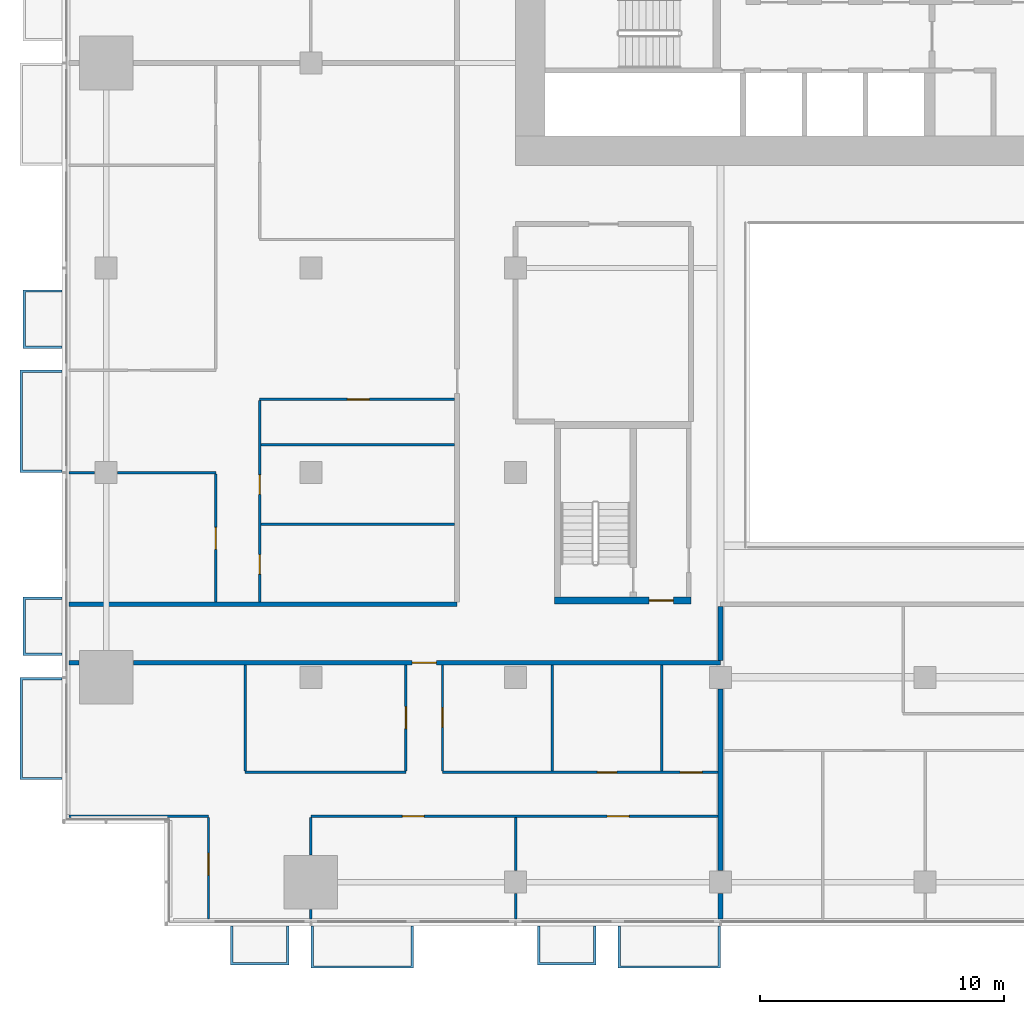
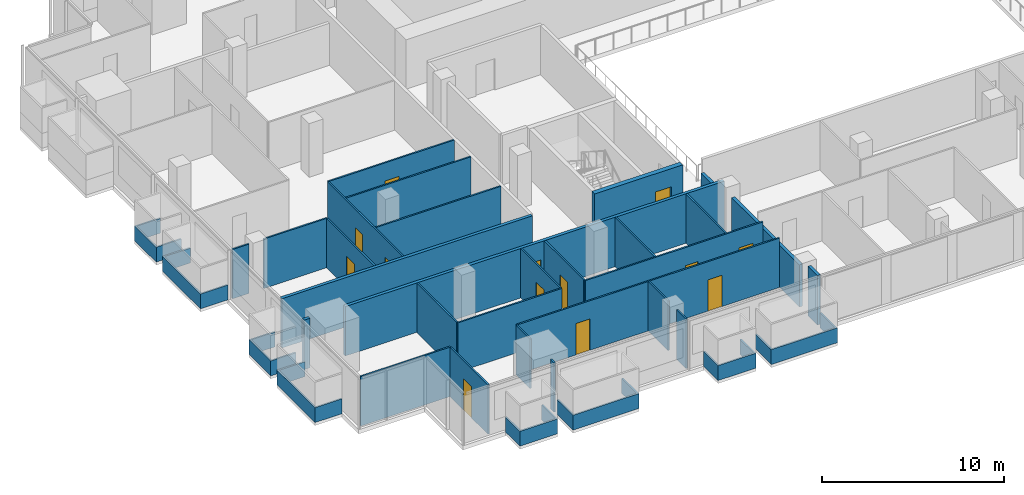
# One storey, part 17 of 27: 36 walls, 13 doors, 13 openings.
"""IFC4 building model written with IfcOpenShell, lengths in metres."""

import ifcopenshell
import ifcopenshell.guid

model = None  # the IFC model being written
_history = None  # IfcOwnerHistory: only IFC2X3 demands one
_inside = {}  # id of a spatial element -> (the spatial element, [elements in it])
_under = {}  # id of a project, library or spatial element -> (it, [spatial elements below it])
_declared = {}  # id of a project -> (the project, [libraries it declares])
_typed = {}  # id of a type object -> (the type object, [elements of that type])
_made_of = {}  # id of a material, layer set ... -> (it, [elements and type objects made of it])


def new_model(schema):
    """Start an empty IFC model of exactly this schema.

    Asked for "IFC4X3", IfcOpenShell would pick the latest addendum, in which some entities
    have other attributes; the version numbers below select the first issue.
    IFC2X3 requires an IfcOwnerHistory on every rooted entity: one is made here for all.
    """
    global model, _history
    if schema == "IFC4X3":
        model = ifcopenshell.file(schema_version=(4, 3, 0, 0))
    else:
        model = ifcopenshell.file(schema=schema)
    _inside.clear()
    _under.clear()
    _declared.clear()
    _typed.clear()
    _made_of.clear()
    _history = None
    if model.schema == "IFC2X3":
        org = make("IfcOrganization", Name="unknown")
        user = make(
            "IfcPersonAndOrganization",
            ThePerson=make("IfcPerson", FamilyName="unknown"),
            TheOrganization=org,
        )
        app = make(
            "IfcApplication",
            ApplicationDeveloper=org,
            Version="unknown",
            ApplicationFullName="unknown",
            ApplicationIdentifier="unknown",
        )
        _history = make(
            "IfcOwnerHistory",
            OwningUser=user,
            OwningApplication=app,
            ChangeAction="ADDED",
            CreationDate=0,
        )
    return model


def make(cls, **values):
    """One entity of the class cls with the attributes given. An attribute that is None is left unset."""
    return model.create_entity(
        cls, **{name: value for name, value in values.items() if value is not None}
    )


def rooted(cls, **values):
    """An entity with a GlobalId (a new one), such as an element, a storey or a relation."""
    return make(cls, GlobalId=ifcopenshell.guid.new(), OwnerHistory=_history, **values)


def si_unit(unit_type, name, prefix=None):
    """IfcSIUnit, for example si_unit("LENGTHUNIT", "METRE", prefix="MILLI")."""
    return make("IfcSIUnit", UnitType=unit_type, Prefix=prefix, Name=name)


def assignment(units):
    """IfcUnitAssignment: the units of a project."""
    return None if units is None else make("IfcUnitAssignment", Units=units)


def point(xyz):
    """IfcCartesianPoint."""
    return None if xyz is None else make("IfcCartesianPoint", Coordinates=xyz)


def direction(xyz):
    """IfcDirection."""
    return None if xyz is None else make("IfcDirection", DirectionRatios=xyz)


def frame(location, z_axis=None, x_axis=None):
    """IfcAxis2Placement3D, a coordinate frame: its origin and axes. An axis left out is left unset."""
    return make(
        "IfcAxis2Placement3D",
        Location=point(location),
        Axis=direction(z_axis),
        RefDirection=direction(x_axis),
    )


def frame_2d(location, x_axis=None):
    """IfcAxis2Placement2D, a coordinate frame in the plane: its origin and x axis."""
    return make(
        "IfcAxis2Placement2D", Location=point(location), RefDirection=direction(x_axis)
    )


def origin():
    """The frame at (0, 0, 0) with its axes left unset."""
    return frame((0.0, 0.0, 0.0))


def place(relative_to, where):
    """IfcLocalPlacement: puts the frame where relative to a parent placement (None: the world)."""
    return make(
        "IfcLocalPlacement", PlacementRelTo=relative_to, RelativePlacement=where
    )


def context(
    kind, dimensions, precision=None, world=None, true_north=None, identifier=None
):
    """IfcGeometricRepresentationContext, for example the 3D "Model" context."""
    return make(
        "IfcGeometricRepresentationContext",
        ContextIdentifier=identifier,
        ContextType=kind,
        CoordinateSpaceDimension=dimensions,
        Precision=precision,
        WorldCoordinateSystem=world,
        TrueNorth=true_north,
    )


def subcontext(parent, identifier, kind, view, scale=None):
    """IfcGeometricRepresentationSubContext, for example "Body" below "Model"."""
    return make(
        "IfcGeometricRepresentationSubContext",
        ContextIdentifier=identifier,
        ContextType=kind,
        ParentContext=parent,
        TargetScale=scale,
        TargetView=view,
    )


def project(units=None, contexts=None):
    """IfcProject with its units and contexts."""
    return rooted(
        "IfcProject",
        Name="project",
        RepresentationContexts=contexts,
        UnitsInContext=assignment(units),
    )


def spatial(cls, under=None, at=None, **own):
    """A site, building, storey or space (cls), placed at a placement, below another one or the project."""
    s = rooted(cls, ObjectPlacement=at, **own)
    if under is not None:
        _under.setdefault(under.id(), (under, []))[1].append(s)
    return s


def polyline(points):
    """IfcPolyline through the points."""
    return make("IfcPolyline", Points=[point(p) for p in points])


def profile(cls, at=None, kind="AREA", **sizes):
    """A parametric profile (cls). Its sizes go by their IFC names, for example OverallWidth=200.0."""
    return make(cls, ProfileType=kind, Position=at, **sizes)


def rectangle(**sizes):
    """IfcRectangleProfileDef."""
    return profile("IfcRectangleProfileDef", **sizes)


def outline(outer, holes=None, kind="AREA"):
    """IfcArbitraryClosedProfileDef: a profile drawn as a closed curve; with holes, ...WithVoids."""
    if holes is None:
        return make("IfcArbitraryClosedProfileDef", ProfileType=kind, OuterCurve=outer)
    return make(
        "IfcArbitraryProfileDefWithVoids",
        ProfileType=kind,
        OuterCurve=outer,
        InnerCurves=holes,
    )


def extrude(swept, where, along, depth):
    """IfcExtrudedAreaSolid: the profile swept, set in the frame where, extruded along a direction by depth."""
    return make(
        "IfcExtrudedAreaSolid",
        SweptArea=swept,
        Position=where,
        ExtrudedDirection=direction(along),
        Depth=depth,
    )


def shape(context_of_items, identifier, shape_type, items):
    """IfcShapeRepresentation: the items that make up one representation, for example the "Body"."""
    return make(
        "IfcShapeRepresentation",
        ContextOfItems=context_of_items,
        RepresentationIdentifier=identifier,
        RepresentationType=shape_type,
        Items=items,
    )


def material(Name=None, Category=None):
    """IfcMaterial."""
    return make("IfcMaterial", Name=Name, Category=Category)


def layer(
    of_material, thickness, ventilated=None, Name=None, Category=None, Priority=None
):
    """IfcMaterialLayer: one layer of a wall or slab, of a material (None: an air gap)."""
    return make(
        "IfcMaterialLayer",
        Material=of_material,
        LayerThickness=thickness,
        IsVentilated=ventilated,
        Name=Name,
        Category=Category,
        Priority=Priority,
    )


def layer_set(layers, Name=None):
    """IfcMaterialLayerSet."""
    return make("IfcMaterialLayerSet", MaterialLayers=layers, LayerSetName=Name)


def made_of(thing, what):
    """Note that an element or type object is made of a material, layer set ...; save() writes the relation."""
    if what is not None:
        _made_of.setdefault(what.id(), (what, []))[1].append(thing)
    return thing


def type_object(cls, material=None, **own):
    """A type object (cls), such as IfcWallType, which elements share."""
    return made_of(rooted(cls, **own), material)


def element(
    cls,
    number,
    at=None,
    inside=None,
    cuts=None,
    type_object=None,
    material=None,
    context=None,
    identifier="Body",
    shape_type=None,
    held_by="IfcProductDefinitionShape",
    body=None,
    shapes=None,
    **own,
):
    """One element of the class cls, such as IfcWall. Its Tag is "e" and its number.

    at: its placement. inside: the storey or other place that contains it. cuts: it is an
    opening in that element (IfcRelVoidsElement). A single representation is given by context,
    identifier, shape_type and body (its items); several are given by shapes. held_by: the class
    of the entity that holds the representations. save() writes the other relations.
    """
    e = rooted(cls, Tag="e%d" % number, ObjectPlacement=at, **own)
    if body is not None:
        shapes = [shape(context, identifier, shape_type, body)]
    if shapes is not None:
        e.Representation = make(held_by, Representations=shapes)
    if inside is not None:
        _inside.setdefault(inside.id(), (inside, []))[1].append(e)
    if cuts is not None:
        rooted(
            "IfcRelVoidsElement", RelatingBuildingElement=cuts, RelatedOpeningElement=e
        )
    if type_object is not None:
        _typed.setdefault(type_object.id(), (type_object, []))[1].append(e)
    return made_of(e, material)


def fill(opening, filler):
    """IfcRelFillsElement: the door or window that sits in an opening."""
    return rooted(
        "IfcRelFillsElement",
        RelatingOpeningElement=opening,
        RelatedBuildingElement=filler,
    )


def aggregate(whole, parts):
    """IfcRelAggregates: a whole, such as a stair, and the parts it consists of."""
    return rooted("IfcRelAggregates", RelatingObject=whole, RelatedObjects=parts)


def save(model, path):
    """Write the relations noted so far, then the file.

    IfcRelAggregates (storeys below a building ...), IfcRelContainedInSpatialStructure (elements
    in a storey), IfcRelDefinesByType, IfcRelAssociatesMaterial and IfcRelDeclares: one each for
    every whole, place, type object, material and project.
    """
    for whole, parts in _under.values():
        aggregate(whole, parts)
    for where, things in _inside.values():
        rooted(
            "IfcRelContainedInSpatialStructure",
            RelatedElements=things,
            RelatingStructure=where,
        )
    for kind, things in _typed.values():
        rooted("IfcRelDefinesByType", RelatedObjects=things, RelatingType=kind)
    for what, things in _made_of.values():
        rooted("IfcRelAssociatesMaterial", RelatedObjects=things, RelatingMaterial=what)
    for by, libraries in _declared.values():
        rooted("IfcRelDeclares", RelatingContext=by, RelatedDefinitions=libraries)
    model.write(path)


model = new_model("IFC4")

# Units and contexts
model_context = context("Model", 3, precision=1e-05, world=origin(), true_north=direction((0.0, 1.0)))
body_context = subcontext(model_context, "Body", "Model", "MODEL_VIEW")
ifc_project = project(units=[si_unit("LENGTHUNIT", "METRE"), si_unit("AREAUNIT", "SQUARE_METRE"), si_unit("VOLUMEUNIT", "CUBIC_METRE"), si_unit("PLANEANGLEUNIT", "RADIAN"), si_unit("MASSUNIT", "GRAM", prefix="KILO")], contexts=[model_context])

# Site, building, storey
site_placement = place(None, origin())
site = spatial("IfcSite", under=ifc_project, at=site_placement, CompositionType="ELEMENT")
building_placement = place(site_placement, origin())
building = spatial("IfcBuilding", under=site, at=building_placement, Name="Saffron Gate Tower", CompositionType="ELEMENT")
storey_placement = place(building_placement, frame((0.0, 0.0, 44.39990234375)))
storey = spatial("IfcBuildingStorey", under=building, at=storey_placement, Name="L09", CompositionType="ELEMENT", Elevation=44.39990234375)

# Wall, opening, door
ifc_material_1 = material(Name="Concrete C70", Category="concrete")
ifc_layer_1 = layer(ifc_material_1, 0.300048828125)
ifc_layer_set_1 = layer_set([ifc_layer_1], Name="CW5 RC core wall 300 C70")
wall_type_1 = type_object("IfcWallType", Name="CW5 RC core wall 300 C70", PredefinedType="SOLIDWALL", material=ifc_layer_set_1)
wall_1_placement = place(storey_placement, frame((68.199951171875, 43.35009765625, 0.0), z_axis=(0.0, 0.0, 1.0), x_axis=(1.0, 0.0, 0.0)))
wall_1 = element("IfcWall", 1, at=wall_1_placement, inside=storey, type_object=wall_type_1, Name="Wall CW5-L09-D-1", PredefinedType="SOLIDWALL", context=body_context, shape_type="SweptSolid", body=[
    extrude(rectangle(XDim=5.60009765625, YDim=0.300048828125, at=frame_2d((2.800048828125, 0.0))), origin(), (0.0, 0.0, 1.0), 3.320068359375),
])
opening_1_placement = place(wall_1_placement, frame((3.875, 0.0, 0.0)))
opening_1 = element("IfcOpeningElement", 2, at=opening_1_placement, cuts=wall_1, Name="Opening CR-18", PredefinedType="OPENING", context=body_context, shape_type="SweptSolid", body=[
    extrude(rectangle(XDim=1.0, YDim=2.10009765625, at=frame_2d((0.5, 1.050048828125))), frame((0.0, 0.16015625, 0.0), z_axis=(0.0, -1.0, 0.0), x_axis=(1.0, 0.0, 0.0)), (0.0, 0.0, 1.0), 0.320068359375),
])
ifc_material_2 = material(Name="Steel fire door set", Category="steel")
door_type_1 = type_object("IfcDoorType", Name="CD4 Lobby door 1000x2100 EI 120", OperationType="NOTDEFINED", PredefinedType="DOOR", material=ifc_material_2)
door_1_placement = place(opening_1_placement, origin())
door_1 = element("IfcDoor", 3, at=door_1_placement, inside=storey, type_object=door_type_1, Name="DOOR CR-18", OperationType="SINGLE_SWING_RIGHT", OverallHeight=2.10009765625, OverallWidth=1.0, PredefinedType="DOOR", context=body_context, shape_type="SweptSolid", body=[
    extrude(rectangle(XDim=1.0, YDim=2.10009765625, at=frame_2d((0.5, 1.050048828125))), frame((0.0, 0.02490234375, 0.0), z_axis=(0.0, -1.0, 0.0), x_axis=(1.0, 0.0, 0.0)), (0.0, 0.0, 1.0), 0.050048828125),
])
fill(opening_1, door_1)

# Wall
ifc_material_3 = material(Name="Plasterboard on steel studs", Category="steel")
ifc_layer_2 = layer(ifc_material_3, 0.10009765625)
ifc_layer_set_2 = layer_set([ifc_layer_2], Name="PW1 Partition 100")
wall_type_2 = type_object("IfcWallType", Name="PW1 Partition 100", PredefinedType="PARTITIONING", material=ifc_layer_set_2)
wall_2_placement = place(storey_placement, frame((48.280029296875, 34.5, 0.0), z_axis=(0.0, 0.0, 1.0), x_axis=(1.0, 0.0, 0.0)))
element("IfcWall", 4, at=wall_2_placement, inside=storey, type_object=wall_type_2, Name="Partition A1-1", PredefinedType="PARTITIONING", context=body_context, shape_type="SweptSolid", body=[
    extrude(rectangle(XDim=5.719970703125, YDim=0.10009765625, at=frame_2d((2.85986328125, 0.0))), origin(), (0.0, 0.0, 1.0), 3.320068359375),
])

# Wall, openings, doors
wall_3_placement = place(storey_placement, frame((74.89990234375, 34.5, 0.0), z_axis=(0.0, 0.0, 1.0), x_axis=(-1.0, 0.0, 0.0)))
wall_3 = element("IfcWall", 5, at=wall_3_placement, inside=storey, type_object=wall_type_2, Name="Partition A1-2", PredefinedType="PARTITIONING", context=body_context, shape_type="SweptSolid", body=[
    extrude(rectangle(XDim=16.699951171875, YDim=0.10009765625, at=frame_2d((8.35009765625, 0.0))), origin(), (0.0, 0.0, 1.0), 3.320068359375),
])
opening_2_placement = place(wall_3_placement, frame((3.64990234375, 0.0, 0.0)))
opening_2 = element("IfcOpeningElement", 6, at=opening_2_placement, cuts=wall_3, Name="Opening A1-10", PredefinedType="OPENING", context=body_context, shape_type="SweptSolid", body=[
    extrude(rectangle(XDim=0.89990234375, YDim=2.10009765625, at=frame_2d((0.449951171875, 1.050048828125))), frame((0.0, 0.06005859375, 0.0), z_axis=(0.0, -1.0, 0.0), x_axis=(1.0, 0.0, 0.0)), (0.0, 0.0, 1.0), 0.1201171875),
])
opening_3_placement = place(wall_3_placement, frame((12.050048828125, 0.0, 0.0)))
opening_3 = element("IfcOpeningElement", 7, at=opening_3_placement, cuts=wall_3, Name="Opening A1-9", PredefinedType="OPENING", context=body_context, shape_type="SweptSolid", body=[
    extrude(rectangle(XDim=0.89990234375, YDim=2.10009765625, at=frame_2d((0.449951171875, 1.050048828125))), frame((0.0, 0.06005859375, 0.0), z_axis=(0.0, -1.0, 0.0), x_axis=(1.0, 0.0, 0.0)), (0.0, 0.0, 1.0), 0.1201171875),
])
ifc_material_4 = material(Name="Timber door set", Category="wood")
door_type_2 = type_object("IfcDoorType", Name="RD1 Room door 900x2100", OperationType="NOTDEFINED", PredefinedType="DOOR", material=ifc_material_4)
door_2_placement = place(opening_2_placement, origin())
door_2 = element("IfcDoor", 8, at=door_2_placement, inside=storey, type_object=door_type_2, Name="Door A1-10", OperationType="SINGLE_SWING_LEFT", OverallHeight=2.10009765625, OverallWidth=0.89990234375, PredefinedType="DOOR", context=body_context, shape_type="SweptSolid", body=[
    extrude(rectangle(XDim=0.89990234375, YDim=2.10009765625, at=frame_2d((0.449951171875, 1.050048828125))), frame((0.0, 0.02490234375, 0.0), z_axis=(0.0, -1.0, 0.0), x_axis=(1.0, 0.0, 0.0)), (0.0, 0.0, 1.0), 0.050048828125),
])
fill(opening_2, door_2)
door_3_placement = place(opening_3_placement, origin())
door_3 = element("IfcDoor", 9, at=door_3_placement, inside=storey, type_object=door_type_2, Name="Door A1-9", OperationType="SINGLE_SWING_RIGHT", OverallHeight=2.10009765625, OverallWidth=0.89990234375, PredefinedType="DOOR", context=body_context, shape_type="SweptSolid", body=[
    extrude(rectangle(XDim=0.89990234375, YDim=2.10009765625, at=frame_2d((0.449951171875, 1.050048828125))), frame((0.0, 0.02490234375, 0.0), z_axis=(0.0, -1.0, 0.0), x_axis=(1.0, 0.0, 0.0)), (0.0, 0.0, 1.0), 0.050048828125),
])
fill(opening_3, door_3)

# Wall
wall_4_placement = place(storey_placement, frame((55.5, 36.300048828125, 0.0), z_axis=(0.0, 0.0, 1.0), x_axis=(1.0, 0.0, 0.0)))
element("IfcWall", 10, at=wall_4_placement, inside=storey, type_object=wall_type_2, Name="Partition A1-5", PredefinedType="PARTITIONING", context=body_context, shape_type="SweptSolid", body=[
    extrude(rectangle(XDim=6.60009765625, YDim=0.10009765625, at=frame_2d((3.300048828125, 0.0))), origin(), (0.0, 0.0, 1.0), 3.320068359375),
])

# Wall, openings, doors
wall_5_placement = place(storey_placement, frame((63.60009765625, 36.300048828125, 0.0), z_axis=(0.0, 0.0, 1.0), x_axis=(1.0, 0.0, 0.0)))
wall_5 = element("IfcWall", 11, at=wall_5_placement, inside=storey, type_object=wall_type_2, Name="Partition A1-6", PredefinedType="PARTITIONING", context=body_context, shape_type="SweptSolid", body=[
    extrude(rectangle(XDim=11.2998046875, YDim=0.10009765625, at=frame_2d((5.64990234375, 0.0))), origin(), (0.0, 0.0, 1.0), 3.320068359375),
])
opening_4_placement = place(wall_5_placement, frame((6.35009765625, 0.0, 0.0)))
opening_4 = element("IfcOpeningElement", 12, at=opening_4_placement, cuts=wall_5, Name="Opening A1-37", PredefinedType="OPENING", context=body_context, shape_type="SweptSolid", body=[
    extrude(rectangle(XDim=0.800048828125, YDim=2.10009765625, at=frame_2d((0.39990234375, 1.050048828125))), frame((0.0, 0.06005859375, 0.0), z_axis=(0.0, -1.0, 0.0), x_axis=(1.0, 0.0, 0.0)), (0.0, 0.0, 1.0), 0.1201171875),
])
opening_5_placement = place(wall_5_placement, frame((9.75, 0.0, 0.0)))
opening_5 = element("IfcOpeningElement", 13, at=opening_5_placement, cuts=wall_5, Name="Opening A1-12", PredefinedType="OPENING", context=body_context, shape_type="SweptSolid", body=[
    extrude(rectangle(XDim=0.89990234375, YDim=2.10009765625, at=frame_2d((0.449951171875, 1.050048828125))), frame((0.0, 0.06005859375, 0.0), z_axis=(0.0, -1.0, 0.0), x_axis=(1.0, 0.0, 0.0)), (0.0, 0.0, 1.0), 0.1201171875),
])
door_4_placement = place(opening_5_placement, origin())
door_4 = element("IfcDoor", 14, at=door_4_placement, inside=storey, type_object=door_type_2, Name="Door A1-12", OperationType="SINGLE_SWING_RIGHT", OverallHeight=2.10009765625, OverallWidth=0.89990234375, PredefinedType="DOOR", context=body_context, shape_type="SweptSolid", body=[
    extrude(rectangle(XDim=0.89990234375, YDim=2.10009765625, at=frame_2d((0.449951171875, 1.050048828125))), frame((0.0, 0.02490234375, 0.0), z_axis=(0.0, -1.0, 0.0), x_axis=(1.0, 0.0, 0.0)), (0.0, 0.0, 1.0), 0.050048828125),
])
fill(opening_5, door_4)
door_type_3 = type_object("IfcDoorType", Name="RD2 Bathroom door 800x2100", OperationType="NOTDEFINED", PredefinedType="DOOR", material=ifc_material_4)
door_5_placement = place(opening_4_placement, origin())
door_5 = element("IfcDoor", 15, at=door_5_placement, inside=storey, type_object=door_type_3, Name="Door A1-37", OperationType="SINGLE_SWING_RIGHT", OverallHeight=2.10009765625, OverallWidth=0.800048828125, PredefinedType="DOOR", context=body_context, shape_type="SweptSolid", body=[
    extrude(rectangle(XDim=0.800048828125, YDim=2.10009765625, at=frame_2d((0.39990234375, 1.050048828125))), frame((0.0, 0.02490234375, 0.0), z_axis=(0.0, -1.0, 0.0), x_axis=(1.0, 0.0, 0.0)), (0.0, 0.0, 1.0), 0.050048828125),
])
fill(opening_4, door_5)

# Walls
wall_6_placement = place(storey_placement, frame((56.14990234375, 46.4716796875, 0.0), z_axis=(0.0, 0.0, 1.0), x_axis=(1.0, 0.0, 0.0)))
element("IfcWall", 16, at=wall_6_placement, inside=storey, type_object=wall_type_2, Name="Partition A1-21", PredefinedType="PARTITIONING", context=body_context, shape_type="SweptSolid", body=[
    extrude(rectangle(XDim=7.9501953125, YDim=0.10009765625, at=frame_2d((3.97509765625, 0.0))), origin(), (0.0, 0.0, 1.0), 3.320068359375),
])
wall_7_placement = place(storey_placement, frame((48.280029296875, 48.60009765625, 0.0), z_axis=(0.0, 0.0, 1.0), x_axis=(1.0, 0.0, 0.0)))
element("IfcWall", 17, at=wall_7_placement, inside=storey, type_object=wall_type_2, Name="Partition A1-24", PredefinedType="PARTITIONING", context=body_context, shape_type="SweptSolid", body=[
    extrude(rectangle(XDim=1.050048828125, YDim=0.10009765625, at=frame_2d((0.52490234375, 0.0))), origin(), (0.0, 0.0, 1.0), 3.320068359375),
])
wall_8_placement = place(storey_placement, frame((50.27001953125, 48.60009765625, 0.0), z_axis=(0.0, 0.0, 1.0), x_axis=(1.0, 0.0, 0.0)))
element("IfcWall", 18, at=wall_8_placement, inside=storey, type_object=wall_type_2, Name="Partition A1-25", PredefinedType="PARTITIONING", context=body_context, shape_type="SweptSolid", body=[
    extrude(rectangle(XDim=4.030029296875, YDim=0.10009765625, at=frame_2d((2.01513671875, 0.0))), origin(), (0.0, 0.0, 1.0), 3.320068359375),
])
wall_9_placement = place(storey_placement, frame((56.14990234375, 49.7431640625, 0.0), z_axis=(0.0, 0.0, 1.0), x_axis=(1.0, 0.0, 0.0)))
element("IfcWall", 19, at=wall_9_placement, inside=storey, type_object=wall_type_2, Name="Partition A1-28", PredefinedType="PARTITIONING", context=body_context, shape_type="SweptSolid", body=[
    extrude(rectangle(XDim=7.9501953125, YDim=0.10009765625, at=frame_2d((3.97509765625, 0.0))), origin(), (0.0, 0.0, 1.0), 3.320068359375),
])

# Wall, opening, door
wall_10_placement = place(storey_placement, frame((64.10009765625, 51.60009765625, 0.0), z_axis=(0.0, 0.0, 1.0), x_axis=(-1.0, 0.0, 0.0)))
wall_10 = element("IfcWall", 20, at=wall_10_placement, inside=storey, type_object=wall_type_2, Name="Partition A1-32", PredefinedType="PARTITIONING", context=body_context, shape_type="SweptSolid", body=[
    extrude(rectangle(XDim=8.0, YDim=0.10009765625, at=frame_2d((4.0, 0.0))), origin(), (0.0, 0.0, 1.0), 3.320068359375),
])
opening_6_placement = place(wall_10_placement, frame((3.5, 0.0, 0.0)))
opening_6 = element("IfcOpeningElement", 21, at=opening_6_placement, cuts=wall_10, Name="Opening A1-27", PredefinedType="OPENING", context=body_context, shape_type="SweptSolid", body=[
    extrude(rectangle(XDim=0.89990234375, YDim=2.10009765625, at=frame_2d((0.449951171875, 1.050048828125))), frame((0.0, 0.06005859375, 0.0), z_axis=(0.0, -1.0, 0.0), x_axis=(1.0, 0.0, 0.0)), (0.0, 0.0, 1.0), 0.1201171875),
])
door_6_placement = place(opening_6_placement, origin())
door_6 = element("IfcDoor", 22, at=door_6_placement, inside=storey, type_object=door_type_2, Name="Door A1-27", OperationType="SINGLE_SWING_LEFT", OverallHeight=2.10009765625, OverallWidth=0.89990234375, PredefinedType="DOOR", context=body_context, shape_type="SweptSolid", body=[
    extrude(rectangle(XDim=0.89990234375, YDim=2.10009765625, at=frame_2d((0.449951171875, 1.050048828125))), frame((0.0, 0.02490234375, 0.0), z_axis=(0.0, -1.0, 0.0), x_axis=(1.0, 0.0, 0.0)), (0.0, 0.0, 1.0), 0.050048828125),
])
fill(opening_6, door_6)

wall_11_placement = place(storey_placement, frame((54.0, 30.280029296875, 0.0), z_axis=(0.0, 0.0, 1.0), x_axis=(0.0, 1.0, 0.0)))
wall_11 = element("IfcWall", 23, at=wall_11_placement, inside=storey, type_object=wall_type_2, Name="Partition A1-52", PredefinedType="PARTITIONING", context=body_context, shape_type="SweptSolid", body=[
    extrude(rectangle(XDim=4.169921875, YDim=0.10009765625, at=frame_2d((2.0849609375, 0.0))), origin(), (0.0, 0.0, 1.0), 3.320068359375),
])
opening_7_placement = place(wall_11_placement, frame((1.802734375, 0.0, 0.0)))
opening_7 = element("IfcOpeningElement", 24, at=opening_7_placement, cuts=wall_11, Name="Opening A1-8", PredefinedType="OPENING", context=body_context, shape_type="SweptSolid", body=[
    extrude(rectangle(XDim=0.89990234375, YDim=2.10009765625, at=frame_2d((0.449951171875, 1.050048828125))), frame((0.0, 0.06005859375, 0.0), z_axis=(0.0, -1.0, 0.0), x_axis=(1.0, 0.0, 0.0)), (0.0, 0.0, 1.0), 0.1201171875),
])
door_7_placement = place(opening_7_placement, origin())
door_7 = element("IfcDoor", 25, at=door_7_placement, inside=storey, type_object=door_type_2, Name="Door A1-8", OperationType="SINGLE_SWING_RIGHT", OverallHeight=2.10009765625, OverallWidth=0.89990234375, PredefinedType="DOOR", context=body_context, shape_type="SweptSolid", body=[
    extrude(rectangle(XDim=0.89990234375, YDim=2.10009765625, at=frame_2d((0.449951171875, 1.050048828125))), frame((0.0, 0.02490234375, 0.0), z_axis=(0.0, -1.0, 0.0), x_axis=(1.0, 0.0, 0.0)), (0.0, 0.0, 1.0), 0.050048828125),
])
fill(opening_7, door_7)

wall_12_placement = place(storey_placement, frame((54.300048828125, 43.300048828125, 0.0), z_axis=(0.0, 0.0, 1.0), x_axis=(0.0, 1.0, 0.0)))
wall_12 = element("IfcWall", 26, at=wall_12_placement, inside=storey, type_object=wall_type_2, Name="Partition A1-53", PredefinedType="PARTITIONING", context=body_context, shape_type="SweptSolid", body=[
    extrude(rectangle(XDim=5.25, YDim=0.10009765625, at=frame_2d((2.625, 0.0))), origin(), (0.0, 0.0, 1.0), 3.320068359375),
])
opening_8_placement = place(wall_12_placement, frame((2.14990234375, 0.0, 0.0)))
opening_8 = element("IfcOpeningElement", 27, at=opening_8_placement, cuts=wall_12, Name="Opening A1-23", PredefinedType="OPENING", context=body_context, shape_type="SweptSolid", body=[
    extrude(rectangle(XDim=0.89990234375, YDim=2.10009765625, at=frame_2d((0.449951171875, 1.050048828125))), frame((0.0, 0.06005859375, 0.0), z_axis=(0.0, -1.0, 0.0), x_axis=(1.0, 0.0, 0.0)), (0.0, 0.0, 1.0), 0.1201171875),
])
door_8_placement = place(opening_8_placement, origin())
door_8 = element("IfcDoor", 28, at=door_8_placement, inside=storey, type_object=door_type_2, Name="Door A1-23", OperationType="SINGLE_SWING_LEFT", OverallHeight=2.10009765625, OverallWidth=0.89990234375, PredefinedType="DOOR", context=body_context, shape_type="SweptSolid", body=[
    extrude(rectangle(XDim=0.89990234375, YDim=2.10009765625, at=frame_2d((0.449951171875, 1.050048828125))), frame((0.0, 0.02490234375, 0.0), z_axis=(0.0, -1.0, 0.0), x_axis=(1.0, 0.0, 0.0)), (0.0, 0.0, 1.0), 0.050048828125),
])
fill(opening_8, door_8)

# Wall
wall_13_placement = place(storey_placement, frame((55.5, 40.699951171875, 0.0), z_axis=(0.0, 0.0, 1.0), x_axis=(0.0, -1.0, 0.0)))
element("IfcWall", 29, at=wall_13_placement, inside=storey, type_object=wall_type_2, Name="Partition A1-56", PredefinedType="PARTITIONING", context=body_context, shape_type="SweptSolid", body=[
    extrude(rectangle(XDim=4.349853515625, YDim=0.10009765625, at=frame_2d((2.1748046875, 0.0))), origin(), (0.0, 0.0, 1.0), 3.320068359375),
])

# Wall, openings, doors
wall_14_placement = place(storey_placement, frame((56.10009765625, 51.550048828125, 0.0), z_axis=(0.0, 0.0, 1.0), x_axis=(0.0, -1.0, 0.0)))
wall_14 = element("IfcWall", 30, at=wall_14_placement, inside=storey, type_object=wall_type_2, Name="Partition A1-57", PredefinedType="PARTITIONING", context=body_context, shape_type="SweptSolid", body=[
    extrude(rectangle(XDim=8.25, YDim=0.10009765625, at=frame_2d((4.125, 0.0))), origin(), (0.0, 0.0, 1.0), 3.320068359375),
])
opening_9_placement = place(wall_14_placement, frame((3.04248046875, 0.0, 0.0)))
opening_9 = element("IfcOpeningElement", 31, at=opening_9_placement, cuts=wall_14, Name="Opening A1-43", PredefinedType="OPENING", context=body_context, shape_type="SweptSolid", body=[
    extrude(rectangle(XDim=0.800048828125, YDim=2.10009765625, at=frame_2d((0.39990234375, 1.050048828125))), frame((0.0, 0.06005859375, 0.0), z_axis=(0.0, -1.0, 0.0), x_axis=(1.0, 0.0, 0.0)), (0.0, 0.0, 1.0), 0.1201171875),
])
opening_10_placement = place(wall_14_placement, frame((6.314208984375, 0.0, 0.0)))
opening_10 = element("IfcOpeningElement", 32, at=opening_10_placement, cuts=wall_14, Name="Opening A1-42", PredefinedType="OPENING", context=body_context, shape_type="SweptSolid", body=[
    extrude(rectangle(XDim=0.800048828125, YDim=2.10009765625, at=frame_2d((0.39990234375, 1.050048828125))), frame((0.0, 0.06005859375, 0.0), z_axis=(0.0, -1.0, 0.0), x_axis=(1.0, 0.0, 0.0)), (0.0, 0.0, 1.0), 0.1201171875),
])
door_9_placement = place(opening_9_placement, origin())
door_9 = element("IfcDoor", 33, at=door_9_placement, inside=storey, type_object=door_type_3, Name="Door A1-43", OperationType="SINGLE_SWING_RIGHT", OverallHeight=2.10009765625, OverallWidth=0.800048828125, PredefinedType="DOOR", context=body_context, shape_type="SweptSolid", body=[
    extrude(rectangle(XDim=0.800048828125, YDim=2.10009765625, at=frame_2d((0.39990234375, 1.050048828125))), frame((0.0, 0.02490234375, 0.0), z_axis=(0.0, -1.0, 0.0), x_axis=(1.0, 0.0, 0.0)), (0.0, 0.0, 1.0), 0.050048828125),
])
fill(opening_9, door_9)
door_10_placement = place(opening_10_placement, origin())
door_10 = element("IfcDoor", 34, at=door_10_placement, inside=storey, type_object=door_type_3, Name="Door A1-42", OperationType="SINGLE_SWING_RIGHT", OverallHeight=2.10009765625, OverallWidth=0.800048828125, PredefinedType="DOOR", context=body_context, shape_type="SweptSolid", body=[
    extrude(rectangle(XDim=0.800048828125, YDim=2.10009765625, at=frame_2d((0.39990234375, 1.050048828125))), frame((0.0, 0.02490234375, 0.0), z_axis=(0.0, -1.0, 0.0), x_axis=(1.0, 0.0, 0.0)), (0.0, 0.0, 1.0), 0.050048828125),
])
fill(opening_10, door_10)

# Walls
wall_15_placement = place(storey_placement, frame((58.199951171875, 30.679931640625, 0.0), z_axis=(0.0, 0.0, 1.0), x_axis=(0.0, -1.0, 0.0)))
element("IfcWall", 35, at=wall_15_placement, inside=storey, type_object=wall_type_2, Name="Partition A1-59", PredefinedType="PARTITIONING", context=body_context, shape_type="SweptSolid", body=[
    extrude(rectangle(XDim=0.39990234375, YDim=0.10009765625, at=frame_2d((0.199951171875, 0.0))), origin(), (0.0, 0.0, 1.0), 3.320068359375),
])
wall_16_placement = place(storey_placement, frame((58.199951171875, 34.449951171875, 0.0), z_axis=(0.0, 0.0, 1.0), x_axis=(0.0, -1.0, 0.0)))
element("IfcWall", 36, at=wall_16_placement, inside=storey, type_object=wall_type_2, Name="Partition A1-60", PredefinedType="PARTITIONING", context=body_context, shape_type="SweptSolid", body=[
    extrude(rectangle(XDim=1.530029296875, YDim=0.10009765625, at=frame_2d((0.76513671875, 0.0))), origin(), (0.0, 0.0, 1.0), 3.320068359375),
])

# Wall, opening, door
wall_17_placement = place(storey_placement, frame((62.10009765625, 36.35009765625, 0.0), z_axis=(0.0, 0.0, 1.0), x_axis=(0.0, 1.0, 0.0)))
wall_17 = element("IfcWall", 37, at=wall_17_placement, inside=storey, type_object=wall_type_2, Name="Partition A1-62", PredefinedType="PARTITIONING", context=body_context, shape_type="SweptSolid", body=[
    extrude(rectangle(XDim=4.349853515625, YDim=0.10009765625, at=frame_2d((2.1748046875, 0.0))), origin(), (0.0, 0.0, 1.0), 3.320068359375),
])
opening_11_placement = place(wall_17_placement, frame((1.75, 0.0, 0.0)))
opening_11 = element("IfcOpeningElement", 38, at=opening_11_placement, cuts=wall_17, Name="Opening A1-11", PredefinedType="OPENING", context=body_context, shape_type="SweptSolid", body=[
    extrude(rectangle(XDim=0.89990234375, YDim=2.10009765625, at=frame_2d((0.449951171875, 1.050048828125))), frame((0.0, 0.06005859375, 0.0), z_axis=(0.0, -1.0, 0.0), x_axis=(1.0, 0.0, 0.0)), (0.0, 0.0, 1.0), 0.1201171875),
])
door_11_placement = place(opening_11_placement, origin())
door_11 = element("IfcDoor", 39, at=door_11_placement, inside=storey, type_object=door_type_2, Name="Door A1-11", OperationType="SINGLE_SWING_RIGHT", OverallHeight=2.10009765625, OverallWidth=0.89990234375, PredefinedType="DOOR", context=body_context, shape_type="SweptSolid", body=[
    extrude(rectangle(XDim=0.89990234375, YDim=2.10009765625, at=frame_2d((0.449951171875, 1.050048828125))), frame((0.0, 0.02490234375, 0.0), z_axis=(0.0, -1.0, 0.0), x_axis=(1.0, 0.0, 0.0)), (0.0, 0.0, 1.0), 0.050048828125),
])
fill(opening_11, door_11)

wall_18_placement = place(storey_placement, frame((63.60009765625, 40.699951171875, 0.0), z_axis=(0.0, 0.0, 1.0), x_axis=(0.0, -1.0, 0.0)))
wall_18 = element("IfcWall", 40, at=wall_18_placement, inside=storey, type_object=wall_type_2, Name="Partition A1-63", PredefinedType="PARTITIONING", context=body_context, shape_type="SweptSolid", body=[
    extrude(rectangle(XDim=4.349853515625, YDim=0.10009765625, at=frame_2d((2.1748046875, 0.0))), origin(), (0.0, 0.0, 1.0), 3.320068359375),
])
opening_12_placement = place(wall_18_placement, frame((1.75, 0.0, 0.0)))
opening_12 = element("IfcOpeningElement", 41, at=opening_12_placement, cuts=wall_18, Name="Opening A1-36", PredefinedType="OPENING", context=body_context, shape_type="SweptSolid", body=[
    extrude(rectangle(XDim=0.800048828125, YDim=2.10009765625, at=frame_2d((0.39990234375, 1.050048828125))), frame((0.0, 0.06005859375, 0.0), z_axis=(0.0, -1.0, 0.0), x_axis=(1.0, 0.0, 0.0)), (0.0, 0.0, 1.0), 0.1201171875),
])
door_12_placement = place(opening_12_placement, origin())
door_12 = element("IfcDoor", 42, at=door_12_placement, inside=storey, type_object=door_type_3, Name="Door A1-36", OperationType="SINGLE_SWING_LEFT", OverallHeight=2.10009765625, OverallWidth=0.800048828125, PredefinedType="DOOR", context=body_context, shape_type="SweptSolid", body=[
    extrude(rectangle(XDim=0.800048828125, YDim=2.10009765625, at=frame_2d((0.39990234375, 1.050048828125))), frame((0.0, 0.02490234375, 0.0), z_axis=(0.0, -1.0, 0.0), x_axis=(1.0, 0.0, 0.0)), (0.0, 0.0, 1.0), 0.050048828125),
])
fill(opening_12, door_12)

# Walls
wall_19_placement = place(storey_placement, frame((66.60009765625, 31.330078125, 0.0), z_axis=(0.0, 0.0, 1.0), x_axis=(0.0, -1.0, 0.0)))
element("IfcWall", 43, at=wall_19_placement, inside=storey, type_object=wall_type_2, Name="Partition A1-67", PredefinedType="PARTITIONING", context=body_context, shape_type="SweptSolid", body=[
    extrude(rectangle(XDim=1.050048828125, YDim=0.10009765625, at=frame_2d((0.52490234375, 0.0))), origin(), (0.0, 0.0, 1.0), 3.320068359375),
])
wall_20_placement = place(storey_placement, frame((66.60009765625, 34.449951171875, 0.0), z_axis=(0.0, 0.0, 1.0), x_axis=(0.0, -1.0, 0.0)))
element("IfcWall", 44, at=wall_20_placement, inside=storey, type_object=wall_type_2, Name="Partition A1-68", PredefinedType="PARTITIONING", context=body_context, shape_type="SweptSolid", body=[
    extrude(rectangle(XDim=2.179931640625, YDim=0.10009765625, at=frame_2d((1.08984375, 0.0))), origin(), (0.0, 0.0, 1.0), 3.320068359375),
])
for number, where, z_axis, x_axis, name in (
    (45, (68.10009765625, 40.699951171875, 0.0), (0.0, 0.0, 1.0), (0.0, -1.0, 0.0), "Partition A1-69"),
    (46, (72.60009765625, 40.699951171875, 0.0), (0.0, 0.0, 1.0), (0.0, -1.0, 0.0), "Partition A1-70"),
):
    element("IfcWall", number, at=place(storey_placement, frame(where, z_axis=z_axis, x_axis=x_axis)), inside=storey, type_object=wall_type_2, Name=name, PredefinedType="PARTITIONING", context=body_context, shape_type="SweptSolid", body=[
        extrude(rectangle(XDim=4.349853515625, YDim=0.10009765625, at=frame_2d((2.1748046875, 0.0))), origin(), (0.0, 0.0, 1.0), 3.320068359375),
    ])
ifc_material_5 = material(Name="Clay brick masonry, rendered", Category="masonry")
ifc_layer_3 = layer(ifc_material_5, 0.199951171875)
ifc_layer_set_3 = layer_set([ifc_layer_3], Name="PW2 Demising wall 200")
wall_type_3 = type_object("IfcWallType", Name="PW2 Demising wall 200", PredefinedType="PARTITIONING", material=ifc_layer_set_3)
wall_21_placement = place(storey_placement, frame((75.0, 31.330078125, 0.0), z_axis=(0.0, 0.0, 1.0), x_axis=(0.0, -1.0, 0.0)))
element("IfcWall", 47, at=wall_21_placement, inside=storey, type_object=wall_type_3, Name="Wall A1-73", PredefinedType="PARTITIONING", context=body_context, shape_type="SweptSolid", body=[
    extrude(rectangle(XDim=1.050048828125, YDim=0.199951171875, at=frame_2d((0.52490234375, 0.0))), origin(), (0.0, 0.0, 1.0), 3.320068359375),
])
wall_22_placement = place(storey_placement, frame((75.0, 39.72998046875, 0.0), z_axis=(0.0, 0.0, 1.0), x_axis=(0.0, -1.0, 0.0)))
element("IfcWall", 48, at=wall_22_placement, inside=storey, type_object=wall_type_3, Name="Wall A1-74", PredefinedType="PARTITIONING", context=body_context, shape_type="SweptSolid", body=[
    extrude(rectangle(XDim=7.4599609375, YDim=0.199951171875, at=frame_2d((3.72998046875, 0.0))), origin(), (0.0, 0.0, 1.0), 2.830078125),
])
ifc_layer_4 = layer(ifc_material_5, 0.199951171875)
ifc_layer_set_4 = layer_set([ifc_layer_4], Name="PW3 Corridor wall 200")
wall_type_4 = type_object("IfcWallType", Name="PW3 Corridor wall 200", PredefinedType="PARTITIONING", material=ifc_layer_set_4)
wall_23_placement = place(storey_placement, frame((48.280029296875, 40.800048828125, 0.0), z_axis=(0.0, 0.0, 1.0), x_axis=(1.0, 0.0, 0.0)))
element("IfcWall", 49, at=wall_23_placement, inside=storey, type_object=wall_type_4, Name="Wall A1-13", PredefinedType="PARTITIONING", context=body_context, shape_type="SweptSolid", body=[
    extrude(rectangle(XDim=0.39990234375, YDim=0.199951171875, at=frame_2d((0.199951171875, 0.0))), origin(), (0.0, 0.0, 1.0), 3.320068359375),
])

# Wall, opening, door
wall_24_placement = place(storey_placement, frame((75.0, 40.800048828125, 0.0), z_axis=(0.0, 0.0, 1.0), x_axis=(-1.0, 0.0, 0.0)))
wall_24 = element("IfcWall", 50, at=wall_24_placement, inside=storey, type_object=wall_type_4, Name="Wall A1-14", PredefinedType="PARTITIONING", context=body_context, shape_type="SweptSolid", body=[
    extrude(rectangle(XDim=24.080078125, YDim=0.199951171875, at=frame_2d((12.0400390625, 0.0))), origin(), (0.0, 0.0, 1.0), 3.320068359375),
])
opening_13_placement = place(wall_24_placement, frame((11.64990234375, 0.0, 0.0)))
opening_13 = element("IfcOpeningElement", 51, at=opening_13_placement, cuts=wall_24, Name="Opening A1-1", PredefinedType="OPENING", context=body_context, shape_type="SweptSolid", body=[
    extrude(rectangle(XDim=1.0, YDim=2.10009765625, at=frame_2d((0.5, 1.050048828125))), frame((0.0, 0.10986328125, 0.0), z_axis=(0.0, -1.0, 0.0), x_axis=(1.0, 0.0, 0.0)), (0.0, 0.0, 1.0), 0.219970703125),
])
ifc_material_6 = material(Name="Timber fire door set", Category="wood")
door_type_4 = type_object("IfcDoorType", Name="FD1 Flat entry door 1000x2100", OperationType="NOTDEFINED", PredefinedType="DOOR", material=ifc_material_6)
door_13_placement = place(opening_13_placement, origin())
door_13 = element("IfcDoor", 52, at=door_13_placement, inside=storey, type_object=door_type_4, Name="Door A1-1", OperationType="SINGLE_SWING_LEFT", OverallHeight=2.10009765625, OverallWidth=1.0, PredefinedType="DOOR", context=body_context, shape_type="SweptSolid", body=[
    extrude(rectangle(XDim=1.0, YDim=2.10009765625, at=frame_2d((0.5, 1.050048828125))), frame((0.0, 0.02490234375, 0.0), z_axis=(0.0, -1.0, 0.0), x_axis=(1.0, 0.0, 0.0)), (0.0, 0.0, 1.0), 0.050048828125),
])
fill(opening_13, door_13)

# Walls
wall_25_placement = place(storey_placement, frame((48.280029296875, 43.199951171875, 0.0), z_axis=(0.0, 0.0, 1.0), x_axis=(1.0, 0.0, 0.0)))
element("IfcWall", 53, at=wall_25_placement, inside=storey, type_object=wall_type_4, Name="Wall A1-17", PredefinedType="PARTITIONING", context=body_context, shape_type="SweptSolid", body=[
    extrude(rectangle(XDim=15.919921875, YDim=0.199951171875, at=frame_2d((7.9599609375, 0.0))), origin(), (0.0, 0.0, 1.0), 3.320068359375),
])
wall_26_placement = place(storey_placement, frame((75.0, 43.10009765625, 0.0), z_axis=(0.0, 0.0, 1.0), x_axis=(0.0, -1.0, 0.0)))
element("IfcWall", 54, at=wall_26_placement, inside=storey, type_object=wall_type_4, Name="Wall A1-72", PredefinedType="PARTITIONING", context=body_context, shape_type="SweptSolid", body=[
    extrude(rectangle(XDim=2.2001953125, YDim=0.199951171875, at=frame_2d((1.10009765625, 0.0))), origin(), (0.0, 0.0, 1.0), 2.43017578125),
])
ifc_material_7 = material(Name="Rendered insulated panel, white")
ifc_layer_5 = layer(ifc_material_7, 0.10009765625)
ifc_layer_set_5 = layer_set([ifc_layer_5], Name="WB3 box parapet white")
wall_type_5 = type_object("IfcWallType", Name="WB3 box parapet white", PredefinedType="SOLIDWALL", material=ifc_layer_set_5)
wall_27_placement = place(storey_placement, origin())
element("IfcWall", 55, at=wall_27_placement, inside=storey, type_object=wall_type_5, Name="WINDOW BOX parapet", PredefinedType="SOLIDWALL", context=body_context, shape_type="SweptSolid", body=[
    extrude(outline(polyline([(54.89990234375, 30.0), (55.0, 30.0), (55.0, 28.5), (57.199951171875, 28.5), (57.199951171875, 30.0), (57.300048828125, 30.0), (57.300048828125, 28.39990234375), (54.89990234375, 28.39990234375), (54.89990234375, 30.0)])), origin(), (0.0, 0.0, 1.0), 1.0),
])
wall_28_placement = place(storey_placement, origin())
element("IfcWall", 56, at=wall_28_placement, inside=storey, type_object=wall_type_5, Name="WINDOW BOX parapet", PredefinedType="SOLIDWALL", context=body_context, shape_type="SweptSolid", body=[
    extrude(outline(polyline([(58.199951171875, 30.0), (58.300048828125, 30.0), (58.300048828125, 28.366943359375), (62.300048828125, 28.366943359375), (62.300048828125, 30.0), (62.39990234375, 30.0), (62.39990234375, 28.26708984375), (58.199951171875, 28.26708984375), (58.199951171875, 30.0)])), origin(), (0.0, 0.0, 1.0), 1.0),
])
wall_29_placement = place(storey_placement, origin())
element("IfcWall", 57, at=wall_29_placement, inside=storey, type_object=wall_type_5, Name="WINDOW BOX parapet", PredefinedType="SOLIDWALL", context=body_context, shape_type="SweptSolid", body=[
    extrude(outline(polyline([(67.5, 30.0), (67.60009765625, 30.0), (67.60009765625, 28.5), (69.800048828125, 28.5), (69.800048828125, 30.0), (69.89990234375, 30.0), (69.89990234375, 28.39990234375), (67.5, 28.39990234375), (67.5, 30.0)])), origin(), (0.0, 0.0, 1.0), 1.0),
])
wall_30_placement = place(storey_placement, origin())
element("IfcWall", 58, at=wall_30_placement, inside=storey, type_object=wall_type_5, Name="WINDOW BOX parapet", PredefinedType="SOLIDWALL", context=body_context, shape_type="SweptSolid", body=[
    extrude(outline(polyline([(70.800048828125, 30.0), (70.89990234375, 30.0), (70.89990234375, 28.366943359375), (74.89990234375, 28.366943359375), (74.89990234375, 30.0), (75.0, 30.0), (75.0, 28.26708984375), (70.800048828125, 28.26708984375), (70.800048828125, 30.0)])), origin(), (0.0, 0.0, 1.0), 1.0),
])
wall_31_placement = place(storey_placement, origin())
element("IfcWall", 59, at=wall_31_placement, inside=storey, type_object=wall_type_5, Name="WINDOW BOX parapet", PredefinedType="SOLIDWALL", context=body_context, shape_type="SweptSolid", body=[
    extrude(outline(polyline([(48.0, 56.10009765625), (48.0, 56.0), (46.5, 56.0), (46.5, 53.800048828125), (48.0, 53.800048828125), (48.0, 53.699951171875), (46.39990234375, 53.699951171875), (46.39990234375, 56.10009765625), (48.0, 56.10009765625)])), origin(), (0.0, 0.0, 1.0), 1.0),
])
wall_32_placement = place(storey_placement, origin())
element("IfcWall", 60, at=wall_32_placement, inside=storey, type_object=wall_type_5, Name="WINDOW BOX parapet", PredefinedType="SOLIDWALL", context=body_context, shape_type="SweptSolid", body=[
    extrude(outline(polyline([(48.0, 52.800048828125), (48.0, 52.699951171875), (46.366943359375, 52.699951171875), (46.366943359375, 48.699951171875), (48.0, 48.699951171875), (48.0, 48.60009765625), (46.26708984375, 48.60009765625), (46.26708984375, 52.800048828125), (48.0, 52.800048828125)])), origin(), (0.0, 0.0, 1.0), 1.0),
])
wall_33_placement = place(storey_placement, origin())
element("IfcWall", 61, at=wall_33_placement, inside=storey, type_object=wall_type_5, Name="WINDOW BOX parapet", PredefinedType="SOLIDWALL", context=body_context, shape_type="SweptSolid", body=[
    extrude(outline(polyline([(48.0, 43.5), (48.0, 43.39990234375), (46.5, 43.39990234375), (46.5, 41.199951171875), (48.0, 41.199951171875), (48.0, 41.10009765625), (46.39990234375, 41.10009765625), (46.39990234375, 43.5), (48.0, 43.5)])), origin(), (0.0, 0.0, 1.0), 1.0),
])
wall_34_placement = place(storey_placement, origin())
element("IfcWall", 62, at=wall_34_placement, inside=storey, type_object=wall_type_5, Name="WINDOW BOX parapet", PredefinedType="SOLIDWALL", context=body_context, shape_type="SweptSolid", body=[
    extrude(outline(polyline([(48.0, 40.199951171875), (48.0, 40.10009765625), (46.366943359375, 40.10009765625), (46.366943359375, 36.10009765625), (48.0, 36.10009765625), (48.0, 36.0), (46.26708984375, 36.0), (46.26708984375, 40.199951171875), (48.0, 40.199951171875)])), origin(), (0.0, 0.0, 1.0), 1.0),
])

save(model, "model.ifc")
